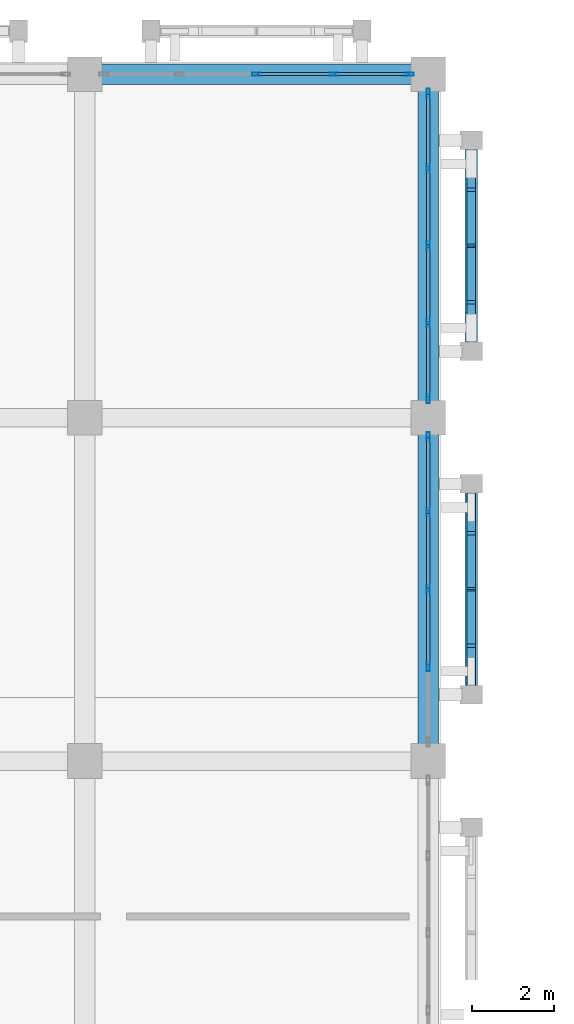
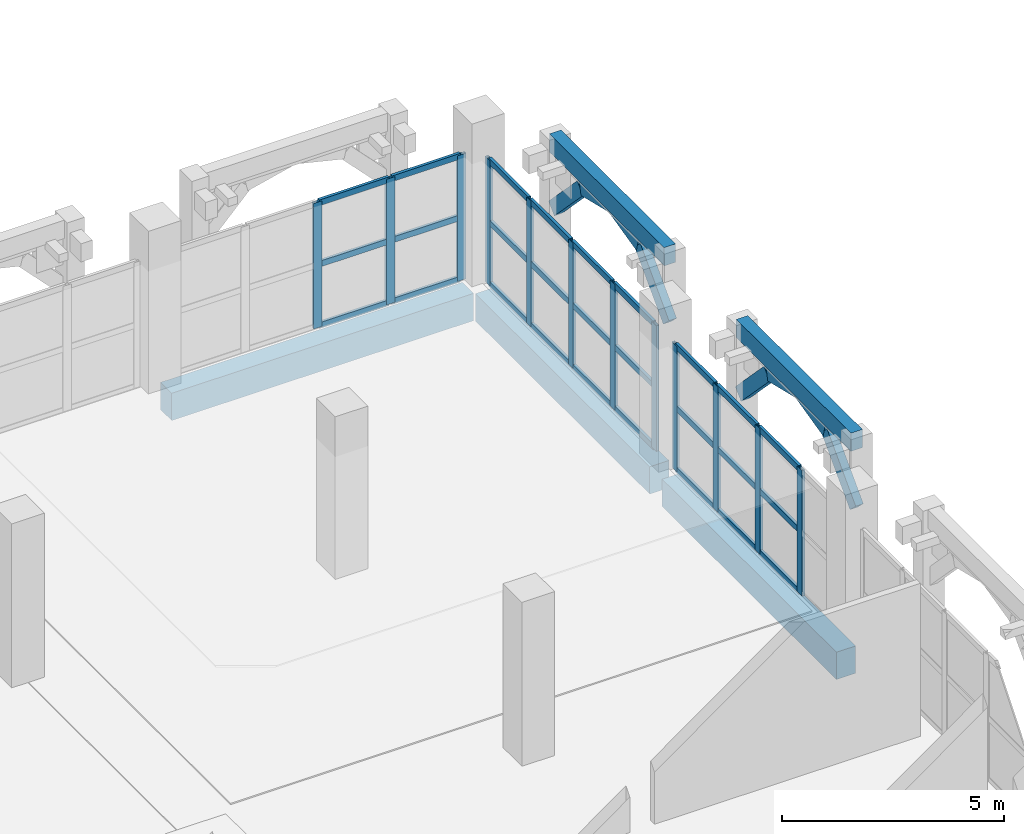
# One storey, part 61 of 137: 47 members, 5 beams, 3 elements without a shape of their own.
"""IFC4 building model written with IfcOpenShell, lengths in metres."""

import ifcopenshell
import ifcopenshell.guid

model = None  # the IFC model being written
_history = None  # IfcOwnerHistory: only IFC2X3 demands one
_inside = {}  # id of a spatial element -> (the spatial element, [elements in it])
_under = {}  # id of a project, library or spatial element -> (it, [spatial elements below it])
_declared = {}  # id of a project -> (the project, [libraries it declares])
_typed = {}  # id of a type object -> (the type object, [elements of that type])
_made_of = {}  # id of a material, layer set ... -> (it, [elements and type objects made of it])


def new_model(schema):
    """Start an empty IFC model of exactly this schema.

    Asked for "IFC4X3", IfcOpenShell would pick the latest addendum, in which some entities
    have other attributes; the version numbers below select the first issue.
    IFC2X3 requires an IfcOwnerHistory on every rooted entity: one is made here for all.
    """
    global model, _history
    if schema == "IFC4X3":
        model = ifcopenshell.file(schema_version=(4, 3, 0, 0))
    else:
        model = ifcopenshell.file(schema=schema)
    _inside.clear()
    _under.clear()
    _declared.clear()
    _typed.clear()
    _made_of.clear()
    _history = None
    if model.schema == "IFC2X3":
        org = make("IfcOrganization", Name="unknown")
        user = make(
            "IfcPersonAndOrganization",
            ThePerson=make("IfcPerson", FamilyName="unknown"),
            TheOrganization=org,
        )
        app = make(
            "IfcApplication",
            ApplicationDeveloper=org,
            Version="unknown",
            ApplicationFullName="unknown",
            ApplicationIdentifier="unknown",
        )
        _history = make(
            "IfcOwnerHistory",
            OwningUser=user,
            OwningApplication=app,
            ChangeAction="ADDED",
            CreationDate=0,
        )
    return model


def make(cls, **values):
    """One entity of the class cls with the attributes given. An attribute that is None is left unset."""
    return model.create_entity(
        cls, **{name: value for name, value in values.items() if value is not None}
    )


def rooted(cls, **values):
    """An entity with a GlobalId (a new one), such as an element, a storey or a relation."""
    return make(cls, GlobalId=ifcopenshell.guid.new(), OwnerHistory=_history, **values)


def si_unit(unit_type, name, prefix=None):
    """IfcSIUnit, for example si_unit("LENGTHUNIT", "METRE", prefix="MILLI")."""
    return make("IfcSIUnit", UnitType=unit_type, Prefix=prefix, Name=name)


def assignment(units):
    """IfcUnitAssignment: the units of a project."""
    return None if units is None else make("IfcUnitAssignment", Units=units)


def point(xyz):
    """IfcCartesianPoint."""
    return None if xyz is None else make("IfcCartesianPoint", Coordinates=xyz)


def direction(xyz):
    """IfcDirection."""
    return None if xyz is None else make("IfcDirection", DirectionRatios=xyz)


def frame(location, z_axis=None, x_axis=None):
    """IfcAxis2Placement3D, a coordinate frame: its origin and axes. An axis left out is left unset."""
    return make(
        "IfcAxis2Placement3D",
        Location=point(location),
        Axis=direction(z_axis),
        RefDirection=direction(x_axis),
    )


def frame_2d(location, x_axis=None):
    """IfcAxis2Placement2D, a coordinate frame in the plane: its origin and x axis."""
    return make(
        "IfcAxis2Placement2D", Location=point(location), RefDirection=direction(x_axis)
    )


def origin():
    """The frame at (0, 0, 0) with its axes left unset."""
    return frame((0.0, 0.0, 0.0))


def origin_2d():
    """The frame at (0, 0) in the plane with its x axis left unset."""
    return frame_2d((0.0, 0.0))


def place(relative_to, where):
    """IfcLocalPlacement: puts the frame where relative to a parent placement (None: the world)."""
    return make(
        "IfcLocalPlacement", PlacementRelTo=relative_to, RelativePlacement=where
    )


def context(
    kind, dimensions, precision=None, world=None, true_north=None, identifier=None
):
    """IfcGeometricRepresentationContext, for example the 3D "Model" context."""
    return make(
        "IfcGeometricRepresentationContext",
        ContextIdentifier=identifier,
        ContextType=kind,
        CoordinateSpaceDimension=dimensions,
        Precision=precision,
        WorldCoordinateSystem=world,
        TrueNorth=true_north,
    )


def subcontext(parent, identifier, kind, view, scale=None):
    """IfcGeometricRepresentationSubContext, for example "Body" below "Model"."""
    return make(
        "IfcGeometricRepresentationSubContext",
        ContextIdentifier=identifier,
        ContextType=kind,
        ParentContext=parent,
        TargetScale=scale,
        TargetView=view,
    )


def project(units=None, contexts=None):
    """IfcProject with its units and contexts."""
    return rooted(
        "IfcProject",
        Name="project",
        RepresentationContexts=contexts,
        UnitsInContext=assignment(units),
    )


def spatial(cls, under=None, at=None, **own):
    """A site, building, storey or space (cls), placed at a placement, below another one or the project."""
    s = rooted(cls, ObjectPlacement=at, **own)
    if under is not None:
        _under.setdefault(under.id(), (under, []))[1].append(s)
    return s


def profile(cls, at=None, kind="AREA", **sizes):
    """A parametric profile (cls). Its sizes go by their IFC names, for example OverallWidth=200.0."""
    return make(cls, ProfileType=kind, Position=at, **sizes)


def rectangle(**sizes):
    """IfcRectangleProfileDef."""
    return profile("IfcRectangleProfileDef", **sizes)


def hollow_rectangle(**sizes):
    """IfcRectangleHollowProfileDef."""
    return profile("IfcRectangleHollowProfileDef", **sizes)


def extrude(swept, where, along, depth):
    """IfcExtrudedAreaSolid: the profile swept, set in the frame where, extruded along a direction by depth."""
    return make(
        "IfcExtrudedAreaSolid",
        SweptArea=swept,
        Position=where,
        ExtrudedDirection=direction(along),
        Depth=depth,
    )


def shape(context_of_items, identifier, shape_type, items):
    """IfcShapeRepresentation: the items that make up one representation, for example the "Body"."""
    return make(
        "IfcShapeRepresentation",
        ContextOfItems=context_of_items,
        RepresentationIdentifier=identifier,
        RepresentationType=shape_type,
        Items=items,
    )


def material(Name=None, Category=None):
    """IfcMaterial."""
    return make("IfcMaterial", Name=Name, Category=Category)


def layer(
    of_material, thickness, ventilated=None, Name=None, Category=None, Priority=None
):
    """IfcMaterialLayer: one layer of a wall or slab, of a material (None: an air gap)."""
    return make(
        "IfcMaterialLayer",
        Material=of_material,
        LayerThickness=thickness,
        IsVentilated=ventilated,
        Name=Name,
        Category=Category,
        Priority=Priority,
    )


def layer_set(layers, Name=None):
    """IfcMaterialLayerSet."""
    return make("IfcMaterialLayerSet", MaterialLayers=layers, LayerSetName=Name)


def material_profile(
    of_material, cross_section, Name=None, Category=None, Priority=None
):
    """IfcMaterialProfile: a cross section and its material."""
    return make(
        "IfcMaterialProfile",
        Name=Name,
        Material=of_material,
        Profile=cross_section,
        Priority=Priority,
        Category=Category,
    )


def profile_set(profiles, Name=None, composite=None):
    """IfcMaterialProfileSet."""
    return make(
        "IfcMaterialProfileSet",
        Name=Name,
        MaterialProfiles=profiles,
        CompositeProfile=composite,
    )


def made_of(thing, what):
    """Note that an element or type object is made of a material, layer set ...; save() writes the relation."""
    if what is not None:
        _made_of.setdefault(what.id(), (what, []))[1].append(thing)
    return thing


def type_object(cls, material=None, **own):
    """A type object (cls), such as IfcWallType, which elements share."""
    return made_of(rooted(cls, **own), material)


def element(
    cls,
    number,
    at=None,
    inside=None,
    cuts=None,
    type_object=None,
    material=None,
    context=None,
    identifier="Body",
    shape_type=None,
    held_by="IfcProductDefinitionShape",
    body=None,
    shapes=None,
    **own,
):
    """One element of the class cls, such as IfcWall. Its Tag is "e" and its number.

    at: its placement. inside: the storey or other place that contains it. cuts: it is an
    opening in that element (IfcRelVoidsElement). A single representation is given by context,
    identifier, shape_type and body (its items); several are given by shapes. held_by: the class
    of the entity that holds the representations. save() writes the other relations.
    """
    e = rooted(cls, Tag="e%d" % number, ObjectPlacement=at, **own)
    if body is not None:
        shapes = [shape(context, identifier, shape_type, body)]
    if shapes is not None:
        e.Representation = make(held_by, Representations=shapes)
    if inside is not None:
        _inside.setdefault(inside.id(), (inside, []))[1].append(e)
    if cuts is not None:
        rooted(
            "IfcRelVoidsElement", RelatingBuildingElement=cuts, RelatedOpeningElement=e
        )
    if type_object is not None:
        _typed.setdefault(type_object.id(), (type_object, []))[1].append(e)
    return made_of(e, material)


def aggregate(whole, parts):
    """IfcRelAggregates: a whole, such as a stair, and the parts it consists of."""
    return rooted("IfcRelAggregates", RelatingObject=whole, RelatedObjects=parts)


def save(model, path):
    """Write the relations noted so far, then the file.

    IfcRelAggregates (storeys below a building ...), IfcRelContainedInSpatialStructure (elements
    in a storey), IfcRelDefinesByType, IfcRelAssociatesMaterial and IfcRelDeclares: one each for
    every whole, place, type object, material and project.
    """
    for whole, parts in _under.values():
        aggregate(whole, parts)
    for where, things in _inside.values():
        rooted(
            "IfcRelContainedInSpatialStructure",
            RelatedElements=things,
            RelatingStructure=where,
        )
    for kind, things in _typed.values():
        rooted("IfcRelDefinesByType", RelatedObjects=things, RelatingType=kind)
    for what, things in _made_of.values():
        rooted("IfcRelAssociatesMaterial", RelatedObjects=things, RelatingMaterial=what)
    for by, libraries in _declared.values():
        rooted("IfcRelDeclares", RelatingContext=by, RelatedDefinitions=libraries)
    model.write(path)


model = new_model("IFC4")

# Units and contexts
model_context = context("Model", 3, precision=1e-05, world=origin(), true_north=direction((0.0, 1.0)))
body_context = subcontext(model_context, "Body", "Model", "MODEL_VIEW")
ifc_project = project(units=[si_unit("LENGTHUNIT", "METRE"), si_unit("AREAUNIT", "SQUARE_METRE"), si_unit("VOLUMEUNIT", "CUBIC_METRE"), si_unit("PLANEANGLEUNIT", "RADIAN"), si_unit("MASSUNIT", "GRAM", prefix="KILO")], contexts=[model_context])

# Site, building, storey
site_placement = place(None, origin())
site = spatial("IfcSite", under=ifc_project, at=site_placement, CompositionType="ELEMENT")
building_placement = place(site_placement, origin())
building = spatial("IfcBuilding", under=site, at=building_placement, Name="Xazarin Passage Department Store", CompositionType="ELEMENT")
storey_placement = place(building_placement, frame((0.0, 0.0, 5.39990234375)))
storey = spatial("IfcBuildingStorey", under=building, at=storey_placement, Name="L01", CompositionType="ELEMENT", Elevation=5.39990234375)

# Curtain wall, members
ifc_material_1 = material(Name="Bronze anodised aluminium", Category="aluminium")
ifc_layer = layer(ifc_material_1, 0.179931640625)
ifc_layer_set = layer_set([ifc_layer], Name="Bronze anodised aluminium")
curtain_wall_type = type_object("IfcCurtainWallType", Name="ARC-CW-VIT1", PredefinedType="NOTDEFINED", material=ifc_layer_set)
curtain_wall_1_placement = place(storey_placement, origin())
curtain_wall_1 = element("IfcCurtainWall", 1, at=curtain_wall_1_placement, inside=storey, type_object=curtain_wall_type, Name="L01 V1 Curtain Wall 017", PredefinedType="NOTDEFINED")
ifc_material_profile_1 = material_profile(ifc_material_1, hollow_rectangle(XDim=0.074951171875, YDim=0.219970703125, WallThickness=0.0048828125, at=origin_2d()), Name="ALU 75x220")
ifc_profile_set_1 = profile_set([ifc_material_profile_1], Name="Bronze anodised aluminium")
member_type_1 = type_object("IfcMemberType", Name="ARC-CWM-75x220", PredefinedType="MULLION", material=ifc_profile_set_1)
member_1_placement = place(storey_placement, frame((46.199951171875, 110.0, 0.0), z_axis=(0.0, 0.0, 1.0), x_axis=(0.0, 1.0, 0.0)))
member_1 = element("IfcMember", 2, at=member_1_placement, type_object=member_type_1, Name="CW1 mullion 3", PredefinedType="MULLION", context=body_context, shape_type="SweptSolid", body=[
    extrude(hollow_rectangle(XDim=0.074951171875, YDim=0.219970703125, WallThickness=0.0048828125, at=origin_2d()), origin(), (0.0, 0.0, 1.0), 3.4501953125),
])
member_2_placement = place(storey_placement, frame((48.08740234375, 110.0, 0.0), z_axis=(0.0, 0.0, 1.0), x_axis=(0.0, 1.0, 0.0)))
member_2 = element("IfcMember", 3, at=member_2_placement, type_object=member_type_1, Name="CW1 mullion 4", PredefinedType="MULLION", context=body_context, shape_type="SweptSolid", body=[
    extrude(hollow_rectangle(XDim=0.074951171875, YDim=0.219970703125, WallThickness=0.0048828125, at=origin_2d()), origin(), (0.0, 0.0, 1.0), 3.4501953125),
])
member_3_placement = place(storey_placement, frame((49.9375, 110.0, 0.0), z_axis=(0.0, 0.0, 1.0), x_axis=(0.0, 1.0, 0.0)))
member_3 = element("IfcMember", 4, at=member_3_placement, type_object=member_type_1, Name="CW1 mullion 5", PredefinedType="MULLION", context=body_context, shape_type="SweptSolid", body=[
    extrude(hollow_rectangle(XDim=0.074951171875, YDim=0.219970703125, WallThickness=0.0048828125, at=origin_2d()), origin(), (0.0, 0.0, 1.0), 3.4501953125),
])

curtain_wall_2_placement = place(storey_placement, origin())
curtain_wall_2 = element("IfcCurtainWall", 5, at=curtain_wall_2_placement, inside=storey, type_object=curtain_wall_type, Name="L01 V1 Curtain Wall 027", PredefinedType="NOTDEFINED")
member_4_placement = place(storey_placement, frame((50.39990234375, 95.512451171875, 0.0), z_axis=(0.0, 0.0, 1.0), x_axis=(-1.0, 0.0, 0.0)))
member_4 = element("IfcMember", 6, at=member_4_placement, type_object=member_type_1, Name="CW1 mullion 2", PredefinedType="MULLION", context=body_context, shape_type="SweptSolid", body=[
    extrude(hollow_rectangle(XDim=0.074951171875, YDim=0.219970703125, WallThickness=0.0048828125, at=origin_2d()), origin(), (0.0, 0.0, 1.0), 3.4501953125),
])
member_5_placement = place(storey_placement, frame((50.39990234375, 97.39990234375, 0.0), z_axis=(0.0, 0.0, 1.0), x_axis=(-1.0, 0.0, 0.0)))
member_5 = element("IfcMember", 7, at=member_5_placement, type_object=member_type_1, Name="CW1 mullion 3", PredefinedType="MULLION", context=body_context, shape_type="SweptSolid", body=[
    extrude(hollow_rectangle(XDim=0.074951171875, YDim=0.219970703125, WallThickness=0.0048828125, at=origin_2d()), origin(), (0.0, 0.0, 1.0), 3.4501953125),
])
member_6_placement = place(storey_placement, frame((50.39990234375, 99.28759765625, 0.0), z_axis=(0.0, 0.0, 1.0), x_axis=(-1.0, 0.0, 0.0)))
member_6 = element("IfcMember", 8, at=member_6_placement, type_object=member_type_1, Name="CW1 mullion 4", PredefinedType="MULLION", context=body_context, shape_type="SweptSolid", body=[
    extrude(hollow_rectangle(XDim=0.074951171875, YDim=0.219970703125, WallThickness=0.0048828125, at=origin_2d()), origin(), (0.0, 0.0, 1.0), 3.4501953125),
])
member_7_placement = place(storey_placement, frame((50.39990234375, 101.137451171875, 0.0), z_axis=(0.0, 0.0, 1.0), x_axis=(-1.0, 0.0, 0.0)))
member_7 = element("IfcMember", 9, at=member_7_placement, type_object=member_type_1, Name="CW1 mullion 5", PredefinedType="MULLION", context=body_context, shape_type="SweptSolid", body=[
    extrude(hollow_rectangle(XDim=0.074951171875, YDim=0.219970703125, WallThickness=0.0048828125, at=origin_2d()), origin(), (0.0, 0.0, 1.0), 3.4501953125),
])

curtain_wall_3_placement = place(storey_placement, origin())
curtain_wall_3 = element("IfcCurtainWall", 10, at=curtain_wall_3_placement, inside=storey, type_object=curtain_wall_type, Name="L01 V1 Curtain Wall 028", PredefinedType="NOTDEFINED")
member_8_placement = place(storey_placement, frame((50.39990234375, 102.0625, 0.0), z_axis=(0.0, 0.0, 1.0), x_axis=(-1.0, 0.0, 0.0)))
member_8 = element("IfcMember", 11, at=member_8_placement, type_object=member_type_1, Name="CW1 mullion 1", PredefinedType="MULLION", context=body_context, shape_type="SweptSolid", body=[
    extrude(hollow_rectangle(XDim=0.074951171875, YDim=0.219970703125, WallThickness=0.0048828125, at=origin_2d()), origin(), (0.0, 0.0, 1.0), 3.4501953125),
])
member_9_placement = place(storey_placement, frame((50.39990234375, 103.91259765625, 0.0), z_axis=(0.0, 0.0, 1.0), x_axis=(-1.0, 0.0, 0.0)))
member_9 = element("IfcMember", 12, at=member_9_placement, type_object=member_type_1, Name="CW1 mullion 2", PredefinedType="MULLION", context=body_context, shape_type="SweptSolid", body=[
    extrude(hollow_rectangle(XDim=0.074951171875, YDim=0.219970703125, WallThickness=0.0048828125, at=origin_2d()), origin(), (0.0, 0.0, 1.0), 3.4501953125),
])
member_10_placement = place(storey_placement, frame((50.39990234375, 105.800048828125, 0.0), z_axis=(0.0, 0.0, 1.0), x_axis=(-1.0, 0.0, 0.0)))
member_10 = element("IfcMember", 13, at=member_10_placement, type_object=member_type_1, Name="CW1 mullion 3", PredefinedType="MULLION", context=body_context, shape_type="SweptSolid", body=[
    extrude(hollow_rectangle(XDim=0.074951171875, YDim=0.219970703125, WallThickness=0.0048828125, at=origin_2d()), origin(), (0.0, 0.0, 1.0), 3.4501953125),
])
member_11_placement = place(storey_placement, frame((50.39990234375, 107.6875, 0.0), z_axis=(0.0, 0.0, 1.0), x_axis=(-1.0, 0.0, 0.0)))
member_11 = element("IfcMember", 14, at=member_11_placement, type_object=member_type_1, Name="CW1 mullion 4", PredefinedType="MULLION", context=body_context, shape_type="SweptSolid", body=[
    extrude(hollow_rectangle(XDim=0.074951171875, YDim=0.219970703125, WallThickness=0.0048828125, at=origin_2d()), origin(), (0.0, 0.0, 1.0), 3.4501953125),
])
member_12_placement = place(storey_placement, frame((50.39990234375, 109.53759765625, 0.0), z_axis=(0.0, 0.0, 1.0), x_axis=(-1.0, 0.0, 0.0)))
member_12 = element("IfcMember", 15, at=member_12_placement, type_object=member_type_1, Name="CW1 mullion 5", PredefinedType="MULLION", context=body_context, shape_type="SweptSolid", body=[
    extrude(hollow_rectangle(XDim=0.074951171875, YDim=0.219970703125, WallThickness=0.0048828125, at=origin_2d()), origin(), (0.0, 0.0, 1.0), 3.4501953125),
])

# Member
ifc_material_profile_2 = material_profile(ifc_material_1, hollow_rectangle(XDim=0.074951171875, YDim=0.159912109375, WallThickness=0.00439453125, at=origin_2d()), Name="ALU 75x160")
ifc_profile_set_2 = profile_set([ifc_material_profile_2], Name="Bronze anodised aluminium")
member_type_2 = type_object("IfcMemberType", Name="ARC-CWT-75x160", PredefinedType="USERDEFINED", material=ifc_profile_set_2)
member_13_placement = place(storey_placement, frame((46.237548828125, 110.0, 0.03759765625), z_axis=(1.0, 0.0, 0.0), x_axis=(0.0, 1.0, 0.0)))
member_13 = element("IfcMember", 16, at=member_13_placement, type_object=member_type_2, Name="CW1 transom 3.1", ObjectType="TRANSOM", PredefinedType="USERDEFINED", context=body_context, shape_type="SweptSolid", body=[
    extrude(hollow_rectangle(XDim=0.074951171875, YDim=0.159912109375, WallThickness=0.00439453125, at=origin_2d()), origin(), (0.0, 0.0, 1.0), 1.8125),
])

member_14_placement = place(storey_placement, frame((46.237548828125, 110.0, 1.72509765625), z_axis=(1.0, 0.0, 0.0), x_axis=(0.0, 1.0, 0.0)))
member_14 = element("IfcMember", 17, at=member_14_placement, type_object=member_type_2, Name="CW1 transom 3.2", ObjectType="TRANSOM", PredefinedType="USERDEFINED", context=body_context, shape_type="SweptSolid", body=[
    extrude(hollow_rectangle(XDim=0.074951171875, YDim=0.159912109375, WallThickness=0.00439453125, at=origin_2d()), origin(), (0.0, 0.0, 1.0), 1.8125),
])

member_15_placement = place(storey_placement, frame((46.237548828125, 110.0, 3.41259765625), z_axis=(1.0, 0.0, 0.0), x_axis=(0.0, 1.0, 0.0)))
member_15 = element("IfcMember", 18, at=member_15_placement, type_object=member_type_2, Name="CW1 transom 3.3", ObjectType="TRANSOM", PredefinedType="USERDEFINED", context=body_context, shape_type="SweptSolid", body=[
    extrude(hollow_rectangle(XDim=0.074951171875, YDim=0.159912109375, WallThickness=0.00439453125, at=origin_2d()), origin(), (0.0, 0.0, 1.0), 1.8125),
])

member_16_placement = place(storey_placement, frame((48.125, 110.0, 0.03759765625), z_axis=(1.0, 0.0, 0.0), x_axis=(0.0, 1.0, 0.0)))
member_16 = element("IfcMember", 19, at=member_16_placement, type_object=member_type_2, Name="CW1 transom 4.1", ObjectType="TRANSOM", PredefinedType="USERDEFINED", context=body_context, shape_type="SweptSolid", body=[
    extrude(hollow_rectangle(XDim=0.074951171875, YDim=0.159912109375, WallThickness=0.00439453125, at=origin_2d()), origin(), (0.0, 0.0, 1.0), 1.77490234375),
])

member_17_placement = place(storey_placement, frame((48.125, 110.0, 1.72509765625), z_axis=(1.0, 0.0, 0.0), x_axis=(0.0, 1.0, 0.0)))
member_17 = element("IfcMember", 20, at=member_17_placement, type_object=member_type_2, Name="CW1 transom 4.2", ObjectType="TRANSOM", PredefinedType="USERDEFINED", context=body_context, shape_type="SweptSolid", body=[
    extrude(hollow_rectangle(XDim=0.074951171875, YDim=0.159912109375, WallThickness=0.00439453125, at=origin_2d()), origin(), (0.0, 0.0, 1.0), 1.77490234375),
])

member_18_placement = place(storey_placement, frame((48.125, 110.0, 3.41259765625), z_axis=(1.0, 0.0, 0.0), x_axis=(0.0, 1.0, 0.0)))
member_18 = element("IfcMember", 21, at=member_18_placement, type_object=member_type_2, Name="CW1 transom 4.3", ObjectType="TRANSOM", PredefinedType="USERDEFINED", context=body_context, shape_type="SweptSolid", body=[
    extrude(hollow_rectangle(XDim=0.074951171875, YDim=0.159912109375, WallThickness=0.00439453125, at=origin_2d()), origin(), (0.0, 0.0, 1.0), 1.77490234375),
])

aggregate(curtain_wall_1, [member_1, member_2, member_3, member_13, member_14, member_15, member_16, member_17, member_18])

member_19_placement = place(storey_placement, frame((50.39990234375, 95.550048828125, 0.03759765625), z_axis=(0.0, 1.0, 0.0), x_axis=(-1.0, 0.0, 0.0)))
member_19 = element("IfcMember", 22, at=member_19_placement, type_object=member_type_2, Name="CW1 transom 2.1", ObjectType="TRANSOM", PredefinedType="USERDEFINED", context=body_context, shape_type="SweptSolid", body=[
    extrude(hollow_rectangle(XDim=0.074951171875, YDim=0.159912109375, WallThickness=0.00439453125, at=origin_2d()), origin(), (0.0, 0.0, 1.0), 1.8125),
])

member_20_placement = place(storey_placement, frame((50.39990234375, 95.550048828125, 1.72509765625), z_axis=(0.0, 1.0, 0.0), x_axis=(-1.0, 0.0, 0.0)))
member_20 = element("IfcMember", 23, at=member_20_placement, type_object=member_type_2, Name="CW1 transom 2.2", ObjectType="TRANSOM", PredefinedType="USERDEFINED", context=body_context, shape_type="SweptSolid", body=[
    extrude(hollow_rectangle(XDim=0.074951171875, YDim=0.159912109375, WallThickness=0.00439453125, at=origin_2d()), origin(), (0.0, 0.0, 1.0), 1.8125),
])

member_21_placement = place(storey_placement, frame((50.39990234375, 95.550048828125, 3.41259765625), z_axis=(0.0, 1.0, 0.0), x_axis=(-1.0, 0.0, 0.0)))
member_21 = element("IfcMember", 24, at=member_21_placement, type_object=member_type_2, Name="CW1 transom 2.3", ObjectType="TRANSOM", PredefinedType="USERDEFINED", context=body_context, shape_type="SweptSolid", body=[
    extrude(hollow_rectangle(XDim=0.074951171875, YDim=0.159912109375, WallThickness=0.00439453125, at=origin_2d()), origin(), (0.0, 0.0, 1.0), 1.8125),
])

member_22_placement = place(storey_placement, frame((50.39990234375, 97.4375, 0.03759765625), z_axis=(0.0, 1.0, 0.0), x_axis=(-1.0, 0.0, 0.0)))
member_22 = element("IfcMember", 25, at=member_22_placement, type_object=member_type_2, Name="CW1 transom 3.1", ObjectType="TRANSOM", PredefinedType="USERDEFINED", context=body_context, shape_type="SweptSolid", body=[
    extrude(hollow_rectangle(XDim=0.074951171875, YDim=0.159912109375, WallThickness=0.00439453125, at=origin_2d()), origin(), (0.0, 0.0, 1.0), 1.8125),
])

member_23_placement = place(storey_placement, frame((50.39990234375, 97.4375, 1.72509765625), z_axis=(0.0, 1.0, 0.0), x_axis=(-1.0, 0.0, 0.0)))
member_23 = element("IfcMember", 26, at=member_23_placement, type_object=member_type_2, Name="CW1 transom 3.2", ObjectType="TRANSOM", PredefinedType="USERDEFINED", context=body_context, shape_type="SweptSolid", body=[
    extrude(hollow_rectangle(XDim=0.074951171875, YDim=0.159912109375, WallThickness=0.00439453125, at=origin_2d()), origin(), (0.0, 0.0, 1.0), 1.8125),
])

member_24_placement = place(storey_placement, frame((50.39990234375, 97.4375, 3.41259765625), z_axis=(0.0, 1.0, 0.0), x_axis=(-1.0, 0.0, 0.0)))
member_24 = element("IfcMember", 27, at=member_24_placement, type_object=member_type_2, Name="CW1 transom 3.3", ObjectType="TRANSOM", PredefinedType="USERDEFINED", context=body_context, shape_type="SweptSolid", body=[
    extrude(hollow_rectangle(XDim=0.074951171875, YDim=0.159912109375, WallThickness=0.00439453125, at=origin_2d()), origin(), (0.0, 0.0, 1.0), 1.8125),
])

member_25_placement = place(storey_placement, frame((50.39990234375, 99.324951171875, 0.03759765625), z_axis=(0.0, 1.0, 0.0), x_axis=(-1.0, 0.0, 0.0)))
member_25 = element("IfcMember", 28, at=member_25_placement, type_object=member_type_2, Name="CW1 transom 4.1", ObjectType="TRANSOM", PredefinedType="USERDEFINED", context=body_context, shape_type="SweptSolid", body=[
    extrude(hollow_rectangle(XDim=0.074951171875, YDim=0.159912109375, WallThickness=0.00439453125, at=origin_2d()), origin(), (0.0, 0.0, 1.0), 1.775146484375),
])

member_26_placement = place(storey_placement, frame((50.39990234375, 99.324951171875, 1.72509765625), z_axis=(0.0, 1.0, 0.0), x_axis=(-1.0, 0.0, 0.0)))
member_26 = element("IfcMember", 29, at=member_26_placement, type_object=member_type_2, Name="CW1 transom 4.2", ObjectType="TRANSOM", PredefinedType="USERDEFINED", context=body_context, shape_type="SweptSolid", body=[
    extrude(hollow_rectangle(XDim=0.074951171875, YDim=0.159912109375, WallThickness=0.00439453125, at=origin_2d()), origin(), (0.0, 0.0, 1.0), 1.775146484375),
])

member_27_placement = place(storey_placement, frame((50.39990234375, 99.324951171875, 3.41259765625), z_axis=(0.0, 1.0, 0.0), x_axis=(-1.0, 0.0, 0.0)))
member_27 = element("IfcMember", 30, at=member_27_placement, type_object=member_type_2, Name="CW1 transom 4.3", ObjectType="TRANSOM", PredefinedType="USERDEFINED", context=body_context, shape_type="SweptSolid", body=[
    extrude(hollow_rectangle(XDim=0.074951171875, YDim=0.159912109375, WallThickness=0.00439453125, at=origin_2d()), origin(), (0.0, 0.0, 1.0), 1.775146484375),
])

aggregate(curtain_wall_2, [member_4, member_5, member_6, member_7, member_19, member_20, member_21, member_22, member_23, member_24, member_25, member_26, member_27])

member_28_placement = place(storey_placement, frame((50.39990234375, 102.10009765625, 0.03759765625), z_axis=(0.0, 1.0, 0.0), x_axis=(-1.0, 0.0, 0.0)))
member_28 = element("IfcMember", 31, at=member_28_placement, type_object=member_type_2, Name="CW1 transom 1.1", ObjectType="TRANSOM", PredefinedType="USERDEFINED", context=body_context, shape_type="SweptSolid", body=[
    extrude(hollow_rectangle(XDim=0.074951171875, YDim=0.159912109375, WallThickness=0.00439453125, at=origin_2d()), origin(), (0.0, 0.0, 1.0), 1.77490234375),
])

member_29_placement = place(storey_placement, frame((50.39990234375, 102.10009765625, 1.72509765625), z_axis=(0.0, 1.0, 0.0), x_axis=(-1.0, 0.0, 0.0)))
member_29 = element("IfcMember", 32, at=member_29_placement, type_object=member_type_2, Name="CW1 transom 1.2", ObjectType="TRANSOM", PredefinedType="USERDEFINED", context=body_context, shape_type="SweptSolid", body=[
    extrude(hollow_rectangle(XDim=0.074951171875, YDim=0.159912109375, WallThickness=0.00439453125, at=origin_2d()), origin(), (0.0, 0.0, 1.0), 1.77490234375),
])

member_30_placement = place(storey_placement, frame((50.39990234375, 102.10009765625, 3.41259765625), z_axis=(0.0, 1.0, 0.0), x_axis=(-1.0, 0.0, 0.0)))
member_30 = element("IfcMember", 33, at=member_30_placement, type_object=member_type_2, Name="CW1 transom 1.3", ObjectType="TRANSOM", PredefinedType="USERDEFINED", context=body_context, shape_type="SweptSolid", body=[
    extrude(hollow_rectangle(XDim=0.074951171875, YDim=0.159912109375, WallThickness=0.00439453125, at=origin_2d()), origin(), (0.0, 0.0, 1.0), 1.77490234375),
])

member_31_placement = place(storey_placement, frame((50.39990234375, 103.949951171875, 0.03759765625), z_axis=(0.0, 1.0, 0.0), x_axis=(-1.0, 0.0, 0.0)))
member_31 = element("IfcMember", 34, at=member_31_placement, type_object=member_type_2, Name="CW1 transom 2.1", ObjectType="TRANSOM", PredefinedType="USERDEFINED", context=body_context, shape_type="SweptSolid", body=[
    extrude(hollow_rectangle(XDim=0.074951171875, YDim=0.159912109375, WallThickness=0.00439453125, at=origin_2d()), origin(), (0.0, 0.0, 1.0), 1.8125),
])

member_32_placement = place(storey_placement, frame((50.39990234375, 103.949951171875, 1.72509765625), z_axis=(0.0, 1.0, 0.0), x_axis=(-1.0, 0.0, 0.0)))
member_32 = element("IfcMember", 35, at=member_32_placement, type_object=member_type_2, Name="CW1 transom 2.2", ObjectType="TRANSOM", PredefinedType="USERDEFINED", context=body_context, shape_type="SweptSolid", body=[
    extrude(hollow_rectangle(XDim=0.074951171875, YDim=0.159912109375, WallThickness=0.00439453125, at=origin_2d()), origin(), (0.0, 0.0, 1.0), 1.8125),
])

member_33_placement = place(storey_placement, frame((50.39990234375, 103.949951171875, 3.41259765625), z_axis=(0.0, 1.0, 0.0), x_axis=(-1.0, 0.0, 0.0)))
member_33 = element("IfcMember", 36, at=member_33_placement, type_object=member_type_2, Name="CW1 transom 2.3", ObjectType="TRANSOM", PredefinedType="USERDEFINED", context=body_context, shape_type="SweptSolid", body=[
    extrude(hollow_rectangle(XDim=0.074951171875, YDim=0.159912109375, WallThickness=0.00439453125, at=origin_2d()), origin(), (0.0, 0.0, 1.0), 1.8125),
])

member_34_placement = place(storey_placement, frame((50.39990234375, 105.83740234375, 0.03759765625), z_axis=(0.0, 1.0, 0.0), x_axis=(-1.0, 0.0, 0.0)))
member_34 = element("IfcMember", 37, at=member_34_placement, type_object=member_type_2, Name="CW1 transom 3.1", ObjectType="TRANSOM", PredefinedType="USERDEFINED", context=body_context, shape_type="SweptSolid", body=[
    extrude(hollow_rectangle(XDim=0.074951171875, YDim=0.159912109375, WallThickness=0.00439453125, at=origin_2d()), origin(), (0.0, 0.0, 1.0), 1.8125),
])

member_35_placement = place(storey_placement, frame((50.39990234375, 105.83740234375, 1.72509765625), z_axis=(0.0, 1.0, 0.0), x_axis=(-1.0, 0.0, 0.0)))
member_35 = element("IfcMember", 38, at=member_35_placement, type_object=member_type_2, Name="CW1 transom 3.2", ObjectType="TRANSOM", PredefinedType="USERDEFINED", context=body_context, shape_type="SweptSolid", body=[
    extrude(hollow_rectangle(XDim=0.074951171875, YDim=0.159912109375, WallThickness=0.00439453125, at=origin_2d()), origin(), (0.0, 0.0, 1.0), 1.8125),
])

member_36_placement = place(storey_placement, frame((50.39990234375, 105.83740234375, 3.41259765625), z_axis=(0.0, 1.0, 0.0), x_axis=(-1.0, 0.0, 0.0)))
member_36 = element("IfcMember", 39, at=member_36_placement, type_object=member_type_2, Name="CW1 transom 3.3", ObjectType="TRANSOM", PredefinedType="USERDEFINED", context=body_context, shape_type="SweptSolid", body=[
    extrude(hollow_rectangle(XDim=0.074951171875, YDim=0.159912109375, WallThickness=0.00439453125, at=origin_2d()), origin(), (0.0, 0.0, 1.0), 1.8125),
])

member_37_placement = place(storey_placement, frame((50.39990234375, 107.72509765625, 0.03759765625), z_axis=(0.0, 1.0, 0.0), x_axis=(-1.0, 0.0, 0.0)))
member_37 = element("IfcMember", 40, at=member_37_placement, type_object=member_type_2, Name="CW1 transom 4.1", ObjectType="TRANSOM", PredefinedType="USERDEFINED", context=body_context, shape_type="SweptSolid", body=[
    extrude(hollow_rectangle(XDim=0.074951171875, YDim=0.159912109375, WallThickness=0.00439453125, at=origin_2d()), origin(), (0.0, 0.0, 1.0), 1.77490234375),
])

member_38_placement = place(storey_placement, frame((50.39990234375, 107.72509765625, 1.72509765625), z_axis=(0.0, 1.0, 0.0), x_axis=(-1.0, 0.0, 0.0)))
member_38 = element("IfcMember", 41, at=member_38_placement, type_object=member_type_2, Name="CW1 transom 4.2", ObjectType="TRANSOM", PredefinedType="USERDEFINED", context=body_context, shape_type="SweptSolid", body=[
    extrude(hollow_rectangle(XDim=0.074951171875, YDim=0.159912109375, WallThickness=0.00439453125, at=origin_2d()), origin(), (0.0, 0.0, 1.0), 1.77490234375),
])

member_39_placement = place(storey_placement, frame((50.39990234375, 107.72509765625, 3.41259765625), z_axis=(0.0, 1.0, 0.0), x_axis=(-1.0, 0.0, 0.0)))
member_39 = element("IfcMember", 42, at=member_39_placement, type_object=member_type_2, Name="CW1 transom 4.3", ObjectType="TRANSOM", PredefinedType="USERDEFINED", context=body_context, shape_type="SweptSolid", body=[
    extrude(hollow_rectangle(XDim=0.074951171875, YDim=0.159912109375, WallThickness=0.00439453125, at=origin_2d()), origin(), (0.0, 0.0, 1.0), 1.77490234375),
])

aggregate(curtain_wall_3, [member_8, member_9, member_10, member_11, member_12, member_28, member_29, member_30, member_31, member_32, member_33, member_34, member_35, member_36, member_37, member_38, member_39])

# Beams
ifc_material_2 = material(Name="Concrete C35/45", Category="concrete")
ifc_material_profile_3 = material_profile(ifc_material_2, rectangle(XDim=0.300048828125, YDim=0.5, at=origin_2d()), Name="RC 300x500")
ifc_profile_set_3 = profile_set([ifc_material_profile_3], Name="Concrete C35/45")
beam_type_1 = type_object("IfcBeamType", Name="STR-BM-LN300x500", PredefinedType="LINTEL", material=ifc_profile_set_3)
for number, where, z_axis, x_axis, name in (
    (43, (51.449951171875, 94.820068359375, 4.25), (0.0, 1.0, 0.0), (-1.0, 0.0, 0.0), "L01 V1 Colonnade Spandrel Beam 015"),
    (44, (51.449951171875, 103.219970703125, 4.25), (0.0, 1.0, 0.0), (-1.0, 0.0, 0.0), "L01 V1 Colonnade Spandrel Beam 016"),
):
    element("IfcBeam", number, at=place(storey_placement, frame(where, z_axis=z_axis, x_axis=x_axis)), inside=storey, type_object=beam_type_1, Name=name, PredefinedType="LINTEL", context=body_context, shape_type="SweptSolid", body=[
        extrude(rectangle(XDim=0.300048828125, YDim=0.5, at=origin_2d()), origin(), (0.0, 0.0, 1.0), 5.159912109375),
    ])
ifc_material_profile_4 = material_profile(ifc_material_2, rectangle(XDim=0.5, YDim=0.75, at=origin_2d()), Name="RC 500x750")
ifc_profile_set_4 = profile_set([ifc_material_profile_4], Name="Concrete C35/45")
beam_type_2 = type_object("IfcBeamType", Name="STR-BM-SP500x750", PredefinedType="SPANDREL", material=ifc_profile_set_4)
for number, where, z_axis, x_axis, name in (
    (45, (42.280029296875, 110.0, -0.6748046875), (1.0, 0.0, 0.0), (0.0, 1.0, 0.0), "L01 Grid Beam Q/6-7"),
    (46, (50.39990234375, 93.47998046875, -0.6748046875), (0.0, 1.0, 0.0), (-1.0, 0.0, 0.0), "L01 Grid Beam 7/N-P"),
    (47, (50.39990234375, 101.8798828125, -0.6748046875), (0.0, 1.0, 0.0), (-1.0, 0.0, 0.0), "L01 Grid Beam 7/P-Q"),
):
    element("IfcBeam", number, at=place(storey_placement, frame(where, z_axis=z_axis, x_axis=x_axis)), inside=storey, type_object=beam_type_2, Name=name, PredefinedType="SPANDREL", context=body_context, shape_type="SweptSolid", body=[
        extrude(rectangle(XDim=0.5, YDim=0.75, at=origin_2d()), origin(), (0.0, 0.0, 1.0), 7.840087890625),
    ])

# Members
ifc_material_3 = material(Name="Concrete C40/50", Category="concrete")
ifc_material_profile_5 = material_profile(ifc_material_3, rectangle(XDim=0.199951171875, YDim=0.360107421875, at=origin_2d()), Name="RC 200x360")
ifc_profile_set_5 = profile_set([ifc_material_profile_5], Name="Concrete C40/50")
member_type_3 = type_object("IfcMemberType", Name="STR-MEM-ARC360", PredefinedType="CHORD", material=ifc_profile_set_5)
member_40_placement = place(storey_placement, frame((51.449951171875, 94.820068359375, 2.43017578125), z_axis=(0.0, 0.693460080602, 0.720495049679), x_axis=(-1.0, 0.0, 0.0)))
element("IfcMember", 48, at=member_40_placement, inside=storey, type_object=member_type_3, Name="L01 V1 Pierced Lattice Curved Arch 015.1", PredefinedType="CHORD", context=body_context, shape_type="SweptSolid", body=[
    extrude(rectangle(XDim=0.199951171875, YDim=0.360107421875, at=origin_2d()), origin(), (0.0, 0.0, 1.0), 1.8603515625),
])
member_41_placement = place(storey_placement, frame((51.449951171875, 96.110107421875, 3.7705078125), z_axis=(0.0, 0.972383960415, 0.233386875224), x_axis=(-1.0, 0.0, 0.0)))
element("IfcMember", 49, at=member_41_placement, inside=storey, type_object=member_type_3, Name="L01 V1 Pierced Lattice Curved Arch 015.2", PredefinedType="CHORD", context=body_context, shape_type="SweptSolid", body=[
    extrude(rectangle(XDim=0.199951171875, YDim=0.360107421875, at=origin_2d()), origin(), (0.0, 0.0, 1.0), 1.326416015625),
])
member_42_placement = place(storey_placement, frame((51.449951171875, 97.39990234375, 4.080078125), z_axis=(0.0, 0.972393983317, -0.233345111818), x_axis=(-1.0, 0.0, 0.0)))
element("IfcMember", 50, at=member_42_placement, inside=storey, type_object=member_type_3, Name="L01 V1 Pierced Lattice Curved Arch 015.3", PredefinedType="CHORD", context=body_context, shape_type="SweptSolid", body=[
    extrude(rectangle(XDim=0.199951171875, YDim=0.360107421875, at=origin_2d()), origin(), (0.0, 0.0, 1.0), 1.32666015625),
])
for number, where, z_axis, x_axis, name in (
    (51, (51.449951171875, 98.68994140625, 3.7705078125), (0.0, 0.693460080602, -0.720495049679), (-1.0, 0.0, 0.0), "L01 V1 Pierced Lattice Curved Arch 015.4"),
    (52, (51.449951171875, 103.219970703125, 2.43017578125), (0.0, 0.693460080602, 0.720495049679), (-1.0, 0.0, 0.0), "L01 V1 Pierced Lattice Curved Arch 016.1"),
):
    element("IfcMember", number, at=place(storey_placement, frame(where, z_axis=z_axis, x_axis=x_axis)), inside=storey, type_object=member_type_3, Name=name, PredefinedType="CHORD", context=body_context, shape_type="SweptSolid", body=[
        extrude(rectangle(XDim=0.199951171875, YDim=0.360107421875, at=origin_2d()), origin(), (0.0, 0.0, 1.0), 1.8603515625),
    ])
for number, where, z_axis, x_axis, name in (
    (53, (51.449951171875, 104.510009765625, 3.7705078125), (0.0, 0.972393983317, 0.233345111818), (-1.0, 0.0, 0.0), "L01 V1 Pierced Lattice Curved Arch 016.2"),
    (54, (51.449951171875, 105.800048828125, 4.080078125), (0.0, 0.972393983317, -0.233345111818), (-1.0, 0.0, 0.0), "L01 V1 Pierced Lattice Curved Arch 016.3"),
):
    element("IfcMember", number, at=place(storey_placement, frame(where, z_axis=z_axis, x_axis=x_axis)), inside=storey, type_object=member_type_3, Name=name, PredefinedType="CHORD", context=body_context, shape_type="SweptSolid", body=[
        extrude(rectangle(XDim=0.199951171875, YDim=0.360107421875, at=origin_2d()), origin(), (0.0, 0.0, 1.0), 1.32666015625),
    ])
member_43_placement = place(storey_placement, frame((51.449951171875, 107.090087890625, 3.7705078125), z_axis=(0.0, 0.693391944082, -0.720560623322), x_axis=(-1.0, 0.0, 0.0)))
element("IfcMember", 55, at=member_43_placement, inside=storey, type_object=member_type_3, Name="L01 V1 Pierced Lattice Curved Arch 016.4", PredefinedType="CHORD", context=body_context, shape_type="SweptSolid", body=[
    extrude(rectangle(XDim=0.199951171875, YDim=0.360107421875, at=origin_2d()), origin(), (0.0, 0.0, 1.0), 1.860107421875),
])

save(model, "model.ifc")
